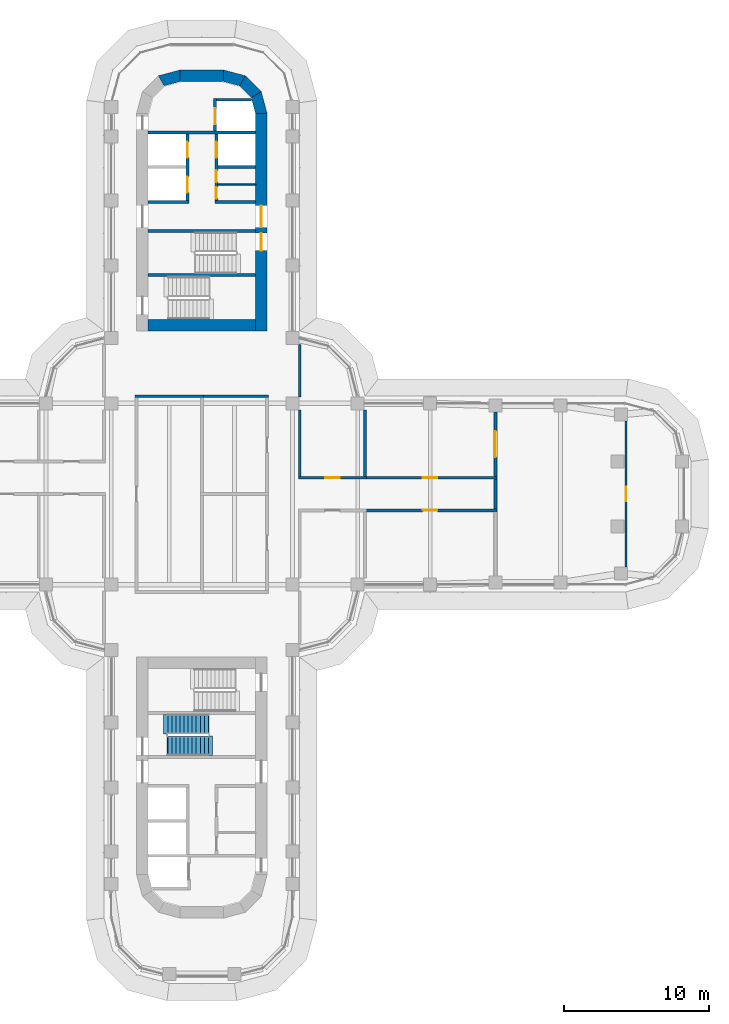
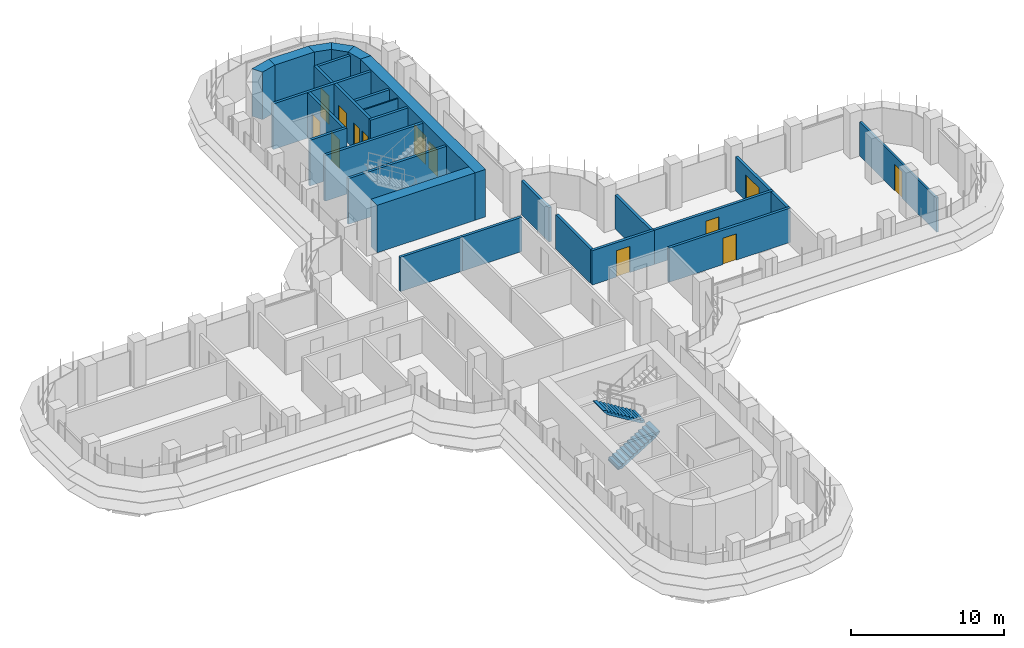
# One storey, part 17 of 22: 29 walls, 13 doors, 2 stair flights, 13 openings, 1 element without a shape of its own.
"""IFC4 building model written with IfcOpenShell, lengths in metres."""

from ifc_helpers import new_model, si_unit, direction, frame, frame_2d, origin, place, context, subcontext, project, spatial, polyline, rectangle, outline, extrude, material, layer, layer_set, type_object, element, fill, aggregate, save


model = new_model("IFC4")

# Units and contexts
model_context = context("Model", 3, precision=1e-05, world=origin(), true_north=direction((0.0, 1.0)))
body_context = subcontext(model_context, "Body", "Model", "MODEL_VIEW")
ifc_project = project(units=[si_unit("LENGTHUNIT", "METRE"), si_unit("AREAUNIT", "SQUARE_METRE"), si_unit("VOLUMEUNIT", "CUBIC_METRE"), si_unit("PLANEANGLEUNIT", "RADIAN"), si_unit("MASSUNIT", "GRAM", prefix="KILO")], contexts=[model_context])

# Site, building, storey
site_placement = place(None, origin())
site = spatial("IfcSite", under=ifc_project, at=site_placement, CompositionType="ELEMENT")
building_placement = place(site_placement, origin())
building = spatial("IfcBuilding", under=site, at=building_placement, Name="Zarbagh Exchange Tower", CompositionType="ELEMENT")
storey_placement = place(building_placement, frame((0.0, 0.0, 98.0)))
storey = spatial("IfcBuildingStorey", under=building, at=storey_placement, Name="L22", CompositionType="ELEMENT", Elevation=98.0)

# Wall
ifc_material_1 = material(Name="Dense blockwork", Category="masonry")
ifc_layer_1 = layer(ifc_material_1, 0.10009765625)
ifc_layer_set_1 = layer_set([ifc_layer_1], Name="Core partition 100 mm blockwork")
wall_type_1 = type_object("IfcWallType", Name="Core partition 100 mm blockwork", PredefinedType="PARTITIONING", material=ifc_layer_set_1)
wall_1_placement = place(storey_placement, frame((1.10009765625, 21.35009765625, 0.0), z_axis=(0.0, 0.0, 1.0), x_axis=(1.0, 0.0, 0.0)))
element("IfcWall", 1, at=wall_1_placement, inside=storey, type_object=wall_type_1, Name="North core partition wall CUT-E-700", PredefinedType="PARTITIONING", context=body_context, shape_type="SweptSolid", body=[
    extrude(rectangle(XDim=2.599853515625, YDim=0.10009765625, at=frame_2d((1.2998046875, 0.0))), origin(), (0.0, 0.0, 1.0), 3.64990234375),
])

# Wall, opening, door
ifc_material_2 = material(Name="Plasterboard partition")
ifc_layer_2 = layer(ifc_material_2, 0.14990234375)
ifc_layer_set_2 = layer_set([ifc_layer_2], Name="PARTITION 150")
wall_type_2 = type_object("IfcWallType", Name="PARTITION 150", PredefinedType="PARTITIONING", material=ifc_layer_set_2)
wall_2_placement = place(storey_placement, frame((29.25, 5.02490234375, 0.0), z_axis=(0.0, 0.0, 1.0), x_axis=(0.0, -1.0, 0.0)))
wall_2 = element("IfcWall", 2, at=wall_2_placement, inside=storey, type_object=wall_type_2, Name="Partition W-828", PredefinedType="PARTITIONING", context=body_context, shape_type="SweptSolid", body=[
    extrude(rectangle(XDim=10.0498046875, YDim=0.14990234375, at=frame_2d((5.02490234375, 0.0))), origin(), (0.0, 0.0, 1.0), 2.738037109375),
])
opening_1_placement = place(wall_2_placement, frame((4.52490234375, 0.0, 0.0)))
opening_1 = element("IfcOpeningElement", 3, at=opening_1_placement, cuts=wall_2, Name="Opening D-804", PredefinedType="OPENING", context=body_context, shape_type="SweptSolid", body=[
    extrude(rectangle(XDim=1.0, YDim=2.10009765625, at=frame_2d((0.5, 1.050048828125))), frame((0.0, 0.0849609375, 0.0), z_axis=(0.0, -1.0, 0.0), x_axis=(1.0, 0.0, 0.0)), (0.0, 0.0, 1.0), 0.169921875),
])
ifc_material_3 = material(Name="Timber door leaf", Category="wood")
door_type_1 = type_object("IfcDoorType", Name="DOOR 1000 X 2100", OperationType="NOTDEFINED", PredefinedType="DOOR", material=ifc_material_3)
door_1_placement = place(opening_1_placement, origin())
door_1 = element("IfcDoor", 4, at=door_1_placement, inside=storey, type_object=door_type_1, Name="Door D-804", OperationType="SINGLE_SWING_RIGHT", OverallHeight=2.10009765625, OverallWidth=1.0, PredefinedType="DOOR", context=body_context, shape_type="SweptSolid", body=[
    extrude(rectangle(XDim=1.0, YDim=2.10009765625, at=frame_2d((0.5, 1.050048828125))), frame((0.0, 0.02490234375, 0.0), z_axis=(0.0, -1.0, 0.0), x_axis=(1.0, 0.0, 0.0)), (0.0, 0.0, 1.0), 0.050048828125),
])
fill(opening_1, door_1)

# Walls
ifc_material_4 = material(Name="Fire-rated plasterboard partition")
ifc_layer_3 = layer(ifc_material_4, 0.199951171875)
ifc_layer_set_3 = layer_set([ifc_layer_3], Name="RATED PARTITION 200")
wall_type_3 = type_object("IfcWallType", Name="RATED PARTITION 200", PredefinedType="PARTITIONING", material=ifc_layer_set_3)
wall_3_placement = place(storey_placement, frame((6.75, 1.22509765625, 0.0), z_axis=(0.0, 0.0, 1.0), x_axis=(0.0, 1.0, 0.0)))
element("IfcWall", 5, at=wall_3_placement, inside=storey, type_object=wall_type_3, Name="Partition W-808", PredefinedType="PARTITIONING", context=body_context, shape_type="SweptSolid", body=[
    extrude(rectangle(XDim=4.574951171875, YDim=0.199951171875, at=frame_2d((2.28759765625, 0.0))), origin(), (0.0, 0.0, 1.0), 2.738037109375),
])
wall_4_placement = place(storey_placement, frame((6.75, 6.699951171875, 0.0), z_axis=(0.0, 0.0, 1.0), x_axis=(0.0, 1.0, 0.0)))
element("IfcWall", 6, at=wall_4_placement, inside=storey, type_object=wall_type_3, Name="Partition W-809", PredefinedType="PARTITIONING", context=body_context, shape_type="SweptSolid", body=[
    extrude(rectangle(XDim=3.60009765625, YDim=0.199951171875, at=frame_2d((1.800048828125, 0.0))), origin(), (0.0, 0.0, 1.0), 2.738037109375),
])
for number, where, z_axis, x_axis, name in (
    (7, (-4.60009765625, 6.75, 0.0), (0.0, 0.0, 1.0), (1.0, 0.0, 0.0), "Partition W-812"),
    (8, (-0.10009765625, 6.75, 0.0), (0.0, 0.0, 1.0), (1.0, 0.0, 0.0), "Partition W-813"),
):
    element("IfcWall", number, at=place(storey_placement, frame(where, z_axis=z_axis, x_axis=x_axis)), inside=storey, type_object=wall_type_3, Name=name, PredefinedType="PARTITIONING", context=body_context, shape_type="SweptSolid", body=[
        extrude(rectangle(XDim=4.7001953125, YDim=0.199951171875, at=frame_2d((2.35009765625, 0.0))), origin(), (0.0, 0.0, 1.0), 2.738037109375),
    ])

# Wall, opening, door
wall_5_placement = place(storey_placement, frame((6.64990234375, 1.125, 0.0), z_axis=(0.0, 0.0, 1.0), x_axis=(1.0, 0.0, 0.0)))
wall_5 = element("IfcWall", 9, at=wall_5_placement, inside=storey, type_object=wall_type_3, Name="Partition W-819", PredefinedType="PARTITIONING", context=body_context, shape_type="SweptSolid", body=[
    extrude(rectangle(XDim=4.7001953125, YDim=0.199951171875, at=frame_2d((2.35009765625, 0.0))), origin(), (0.0, 0.0, 1.0), 2.738037109375),
])
opening_2_placement = place(wall_5_placement, frame((1.85009765625, 0.0, 0.0)))
opening_2 = element("IfcOpeningElement", 10, at=opening_2_placement, cuts=wall_5, Name="Opening D-806", PredefinedType="OPENING", context=body_context, shape_type="SweptSolid", body=[
    extrude(rectangle(XDim=1.0, YDim=2.10009765625, at=frame_2d((0.5, 1.050048828125))), frame((0.0, 0.10986328125, 0.0), z_axis=(0.0, -1.0, 0.0), x_axis=(1.0, 0.0, 0.0)), (0.0, 0.0, 1.0), 0.219970703125),
])
ifc_material_5 = material(Name="Steel door set", Category="steel")
door_type_2 = type_object("IfcDoorType", Name="FIRE DOOR 1000 X 2100 FD30S", OperationType="NOTDEFINED", PredefinedType="DOOR", material=ifc_material_5)
door_2_placement = place(opening_2_placement, origin())
door_2 = element("IfcDoor", 11, at=door_2_placement, inside=storey, type_object=door_type_2, Name="Door D-806", OperationType="SINGLE_SWING_RIGHT", OverallHeight=2.10009765625, OverallWidth=1.0, PredefinedType="DOOR", context=body_context, shape_type="SweptSolid", body=[
    extrude(rectangle(XDim=1.0, YDim=2.10009765625, at=frame_2d((0.5, 1.050048828125))), frame((0.0, 0.02490234375, 0.0), z_axis=(0.0, -1.0, 0.0), x_axis=(1.0, 0.0, 0.0)), (0.0, 0.0, 1.0), 0.050048828125),
])
fill(opening_2, door_2)

wall_6_placement = place(storey_placement, frame((11.14990234375, 1.125, 0.0), z_axis=(0.0, 0.0, 1.0), x_axis=(1.0, 0.0, 0.0)))
wall_6 = element("IfcWall", 12, at=wall_6_placement, inside=storey, type_object=wall_type_3, Name="Partition W-821", PredefinedType="PARTITIONING", context=body_context, shape_type="SweptSolid", body=[
    extrude(rectangle(XDim=9.2001953125, YDim=0.199951171875, at=frame_2d((4.60009765625, 0.0))), origin(), (0.0, 0.0, 1.0), 2.738037109375),
])
opening_3_placement = place(wall_6_placement, frame((4.10009765625, 0.0, 0.0)))
opening_3 = element("IfcOpeningElement", 13, at=opening_3_placement, cuts=wall_6, Name="Opening D-807", PredefinedType="OPENING", context=body_context, shape_type="SweptSolid", body=[
    extrude(rectangle(XDim=1.0, YDim=2.10009765625, at=frame_2d((0.5, 1.050048828125))), frame((0.0, 0.10986328125, 0.0), z_axis=(0.0, -1.0, 0.0), x_axis=(1.0, 0.0, 0.0)), (0.0, 0.0, 1.0), 0.219970703125),
])
door_3_placement = place(opening_3_placement, origin())
door_3 = element("IfcDoor", 14, at=door_3_placement, inside=storey, type_object=door_type_2, Name="Door D-807", OperationType="SINGLE_SWING_LEFT", OverallHeight=2.10009765625, OverallWidth=1.0, PredefinedType="DOOR", context=body_context, shape_type="SweptSolid", body=[
    extrude(rectangle(XDim=1.0, YDim=2.10009765625, at=frame_2d((0.5, 1.050048828125))), frame((0.0, 0.02490234375, 0.0), z_axis=(0.0, -1.0, 0.0), x_axis=(1.0, 0.0, 0.0)), (0.0, 0.0, 1.0), 0.050048828125),
])
fill(opening_3, door_3)

wall_7_placement = place(storey_placement, frame((20.35009765625, -1.125, 0.0), z_axis=(0.0, 0.0, 1.0), x_axis=(-1.0, 0.0, 0.0)))
wall_7 = element("IfcWall", 15, at=wall_7_placement, inside=storey, type_object=wall_type_3, Name="Partition W-822", PredefinedType="PARTITIONING", context=body_context, shape_type="SweptSolid", body=[
    extrude(rectangle(XDim=9.2001953125, YDim=0.199951171875, at=frame_2d((4.60009765625, 0.0))), origin(), (0.0, 0.0, 1.0), 2.738037109375),
])
opening_4_placement = place(wall_7_placement, frame((4.10009765625, 0.0, 0.0)))
opening_4 = element("IfcOpeningElement", 16, at=opening_4_placement, cuts=wall_7, Name="Opening D-809", PredefinedType="OPENING", context=body_context, shape_type="SweptSolid", body=[
    extrude(rectangle(XDim=1.0, YDim=2.10009765625, at=frame_2d((0.5, 1.050048828125))), frame((0.0, 0.10986328125, 0.0), z_axis=(0.0, -1.0, 0.0), x_axis=(1.0, 0.0, 0.0)), (0.0, 0.0, 1.0), 0.219970703125),
])
door_4_placement = place(opening_4_placement, origin())
door_4 = element("IfcDoor", 17, at=door_4_placement, inside=storey, type_object=door_type_2, Name="Door D-809", OperationType="SINGLE_SWING_RIGHT", OverallHeight=2.10009765625, OverallWidth=1.0, PredefinedType="DOOR", context=body_context, shape_type="SweptSolid", body=[
    extrude(rectangle(XDim=1.0, YDim=2.10009765625, at=frame_2d((0.5, 1.050048828125))), frame((0.0, 0.02490234375, 0.0), z_axis=(0.0, -1.0, 0.0), x_axis=(1.0, 0.0, 0.0)), (0.0, 0.0, 1.0), 0.050048828125),
])
fill(opening_4, door_4)

# Walls
wall_8_placement = place(storey_placement, frame((20.25, -1.02490234375, 0.0), z_axis=(0.0, 0.0, 1.0), x_axis=(0.0, 1.0, 0.0)))
element("IfcWall", 18, at=wall_8_placement, inside=storey, type_object=wall_type_3, Name="Partition W-823", PredefinedType="PARTITIONING", context=body_context, shape_type="SweptSolid", body=[
    extrude(rectangle(XDim=2.0498046875, YDim=0.199951171875, at=frame_2d((1.02490234375, 0.0))), origin(), (0.0, 0.0, 1.0), 2.738037109375),
])
wall_9_placement = place(storey_placement, frame((11.25, 1.22509765625, 0.0), z_axis=(0.0, 0.0, 1.0), x_axis=(0.0, 1.0, 0.0)))
element("IfcWall", 19, at=wall_9_placement, inside=storey, type_object=wall_type_3, Name="Partition W-824", PredefinedType="PARTITIONING", context=body_context, shape_type="SweptSolid", body=[
    extrude(rectangle(XDim=4.574951171875, YDim=0.199951171875, at=frame_2d((2.28759765625, 0.0))), origin(), (0.0, 0.0, 1.0), 2.738037109375),
])

# Wall, opening, door
wall_10_placement = place(storey_placement, frame((20.25, 5.659912109375, 0.0), z_axis=(0.0, 0.0, 1.0), x_axis=(0.0, -1.0, 0.0)))
wall_10 = element("IfcWall", 20, at=wall_10_placement, inside=storey, type_object=wall_type_3, Name="Partition W-826", PredefinedType="PARTITIONING", context=body_context, shape_type="SweptSolid", body=[
    extrude(rectangle(XDim=4.434814453125, YDim=0.199951171875, at=frame_2d((2.21728515625, 0.0))), origin(), (0.0, 0.0, 1.0), 2.738037109375),
])
opening_5_placement = place(wall_10_placement, frame((1.3173828125, 0.0, 0.0)))
opening_5 = element("IfcOpeningElement", 21, at=opening_5_placement, cuts=wall_10, Name="Opening D-805", PredefinedType="OPENING", context=body_context, shape_type="SweptSolid", body=[
    extrude(rectangle(XDim=1.800048828125, YDim=2.10009765625, at=frame_2d((0.89990234375, 1.050048828125))), frame((0.0, 0.10986328125, 0.0), z_axis=(0.0, -1.0, 0.0), x_axis=(1.0, 0.0, 0.0)), (0.0, 0.0, 1.0), 0.219970703125),
])
door_type_3 = type_object("IfcDoorType", Name="FIRE DOUBLE DOOR 1800 X 2100 FD30S", OperationType="DOUBLE_DOOR_SINGLE_SWING", PredefinedType="DOOR", material=ifc_material_5)
door_5_placement = place(opening_5_placement, origin())
door_5 = element("IfcDoor", 22, at=door_5_placement, inside=storey, type_object=door_type_3, Name="Door D-805", OperationType="DOUBLE_DOOR_SINGLE_SWING", OverallHeight=2.10009765625, OverallWidth=1.800048828125, PredefinedType="DOOR", context=body_context, shape_type="SweptSolid", body=[
    extrude(rectangle(XDim=1.800048828125, YDim=2.10009765625, at=frame_2d((0.89990234375, 1.050048828125))), frame((0.0, 0.02490234375, 0.0), z_axis=(0.0, -1.0, 0.0), x_axis=(1.0, 0.0, 0.0)), (0.0, 0.0, 1.0), 0.050048828125),
])
fill(opening_5, door_5)

# Walls
ifc_material_6 = material(Name="Concrete C60/75", Category="concrete")
ifc_layer_4 = layer(ifc_material_6, 0.800048828125)
ifc_layer_set_4 = layer_set([ifc_layer_4], Name="RC core corner wall 800 C60/75")
wall_type_4 = type_object("IfcWallType", Name="RC core corner wall 800 C60/75", PredefinedType="SHEAR", material=ifc_layer_set_4)
wall_11_placement = place(storey_placement, origin())
element("IfcWall", 23, at=wall_11_placement, inside=storey, type_object=wall_type_4, Name="CW4 core N corner W", PredefinedType="SHEAR", context=body_context, shape_type="SweptSolid", body=[
    extrude(outline(polyline([(-3.0, 28.84814453125), (-1.5, 29.25), (-1.5, 28.449951171875), (-2.60009765625, 28.1552734375), (-3.0, 28.84814453125)])), origin(), (0.0, 0.0, 1.0), 3.800048828125),
])
wall_12_placement = place(storey_placement, origin())
element("IfcWall", 24, at=wall_12_placement, inside=storey, type_object=wall_type_4, Name="CW4 core N corner E", PredefinedType="SHEAR", context=body_context, shape_type="SweptSolid", body=[
    extrude(outline(polyline([(4.5, 26.25), (4.09814453125, 27.75), (3.4052734375, 27.35009765625), (3.699951171875, 26.25), (4.5, 26.25)])), origin(), (0.0, 0.0, 1.0), 3.800048828125),
])
wall_13_placement = place(storey_placement, origin())
element("IfcWall", 25, at=wall_13_placement, inside=storey, type_object=wall_type_4, Name="CW4 core N corner E", PredefinedType="SHEAR", context=body_context, shape_type="SweptSolid", body=[
    extrude(outline(polyline([(4.09814453125, 27.75), (3.0, 28.84814453125), (2.60009765625, 28.1552734375), (3.4052734375, 27.35009765625), (4.09814453125, 27.75)])), origin(), (0.0, 0.0, 1.0), 3.800048828125),
])
wall_14_placement = place(storey_placement, origin())
element("IfcWall", 26, at=wall_14_placement, inside=storey, type_object=wall_type_4, Name="CW4 core N corner E", PredefinedType="SHEAR", context=body_context, shape_type="SweptSolid", body=[
    extrude(outline(polyline([(3.0, 28.84814453125), (1.5, 29.25), (1.5, 28.449951171875), (2.60009765625, 28.1552734375), (3.0, 28.84814453125)])), origin(), (0.0, 0.0, 1.0), 3.800048828125),
])

# Wall, openings, doors
ifc_layer_5 = layer(ifc_material_6, 0.800048828125)
ifc_layer_set_5 = layer_set([ifc_layer_5], Name="RC core wall 800 C60/75")
wall_type_5 = type_object("IfcWallType", Name="RC core wall 800 C60/75", PredefinedType="SHEAR", material=ifc_layer_set_5)
wall_15_placement = place(storey_placement, frame((4.10009765625, 11.25, 0.0), z_axis=(0.0, 0.0, 1.0), x_axis=(0.0, 1.0, 0.0)))
wall_15 = element("IfcWall", 27, at=wall_15_placement, inside=storey, type_object=wall_type_5, Name="CW3 core N E", PredefinedType="SHEAR", context=body_context, shape_type="SweptSolid", body=[
    extrude(rectangle(XDim=15.0, YDim=0.800048828125, at=frame_2d((7.5, 0.0))), origin(), (0.0, 0.0, 1.0), 3.800048828125),
])
opening_6_placement = place(wall_15_placement, frame((7.14990234375, 0.0, 0.0)))
opening_6 = element("IfcOpeningElement", 28, at=opening_6_placement, cuts=wall_15, Name="Opening CD1-1500", PredefinedType="OPENING", context=body_context, shape_type="SweptSolid", body=[
    extrude(rectangle(XDim=1.5, YDim=2.300048828125, at=frame_2d((0.75, 1.14990234375))), frame((0.0, 0.409912109375, 0.0), z_axis=(0.0, -1.0, 0.0), x_axis=(1.0, 0.0, 0.0)), (0.0, 0.0, 1.0), 0.820068359375),
])
opening_7_placement = place(wall_15_placement, frame((5.550048828125, 0.0, 0.0)))
opening_7 = element("IfcOpeningElement", 29, at=opening_7_placement, cuts=wall_15, Name="Opening SD1-1200", PredefinedType="OPENING", context=body_context, shape_type="SweptSolid", body=[
    extrude(rectangle(XDim=1.199951171875, YDim=2.10009765625, at=frame_2d((0.60009765625, 1.050048828125))), frame((0.0, 0.409912109375, 0.0), z_axis=(0.0, -1.0, 0.0), x_axis=(1.0, 0.0, 0.0)), (0.0, 0.0, 1.0), 0.820068359375),
])
ifc_material_7 = material(Name="Steel", Category="steel")
door_type_4 = type_object("IfcDoorType", Name="Exit stair door 1200 x 2100", OperationType="NOTDEFINED", PredefinedType="DOOR", material=ifc_material_7)
door_6_placement = place(opening_7_placement, origin())
door_6 = element("IfcDoor", 30, at=door_6_placement, inside=storey, type_object=door_type_4, Name="North core stair door ST1", OperationType="SINGLE_SWING_RIGHT", OverallHeight=2.10009765625, OverallWidth=1.199951171875, PredefinedType="DOOR", context=body_context, shape_type="SweptSolid", body=[
    extrude(rectangle(XDim=1.199951171875, YDim=2.10009765625, at=frame_2d((0.60009765625, 1.050048828125))), frame((0.0, 0.02490234375, 0.0), z_axis=(0.0, -1.0, 0.0), x_axis=(1.0, 0.0, 0.0)), (0.0, 0.0, 1.0), 0.050048828125),
])
fill(opening_7, door_6)
door_type_5 = type_object("IfcDoorType", Name="Lift lobby double door 1500 x 2300", OperationType="NOTDEFINED", PredefinedType="DOOR", material=ifc_material_7)
door_7_placement = place(opening_6_placement, origin())
door_7 = element("IfcDoor", 31, at=door_7_placement, inside=storey, type_object=door_type_5, Name="North core lift lobby door LOBBY-E", OperationType="DOUBLE_DOOR_SINGLE_SWING", OverallHeight=2.300048828125, OverallWidth=1.5, PredefinedType="DOOR", context=body_context, shape_type="SweptSolid", body=[
    extrude(rectangle(XDim=1.5, YDim=2.300048828125, at=frame_2d((0.75, 1.14990234375))), frame((0.0, 0.02490234375, 0.0), z_axis=(0.0, -1.0, 0.0), x_axis=(1.0, 0.0, 0.0)), (0.0, 0.0, 1.0), 0.050048828125),
])
fill(opening_6, door_7)

# Walls
wall_16_placement = place(storey_placement, frame((-3.699951171875, 11.64990234375, 0.0), z_axis=(0.0, 0.0, 1.0), x_axis=(1.0, 0.0, 0.0)))
element("IfcWall", 32, at=wall_16_placement, inside=storey, type_object=wall_type_5, Name="CW3 core N inner end", PredefinedType="SHEAR", context=body_context, shape_type="SweptSolid", body=[
    extrude(rectangle(XDim=7.39990234375, YDim=0.800048828125, at=frame_2d((3.699951171875, 0.0))), origin(), (0.0, 0.0, 1.0), 3.800048828125),
])
wall_17_placement = place(storey_placement, frame((-1.5, 28.85009765625, 0.0), z_axis=(0.0, 0.0, 1.0), x_axis=(1.0, 0.0, 0.0)))
element("IfcWall", 33, at=wall_17_placement, inside=storey, type_object=wall_type_5, Name="CW3 core N outer end", PredefinedType="SHEAR", context=body_context, shape_type="SweptSolid", body=[
    extrude(rectangle(XDim=3.0, YDim=0.800048828125, at=frame_2d((1.5, 0.0))), origin(), (0.0, 0.0, 1.0), 3.800048828125),
])
ifc_layer_6 = layer(ifc_material_1, 0.199951171875)
ifc_layer_set_6 = layer_set([ifc_layer_6], Name="Shaft wall 200 mm blockwork")
wall_type_6 = type_object("IfcWallType", Name="Shaft wall 200 mm blockwork", PredefinedType="PARTITIONING", material=ifc_layer_set_6)
wall_18_placement = place(storey_placement, frame((-3.699951171875, 20.14990234375, 0.0), z_axis=(0.0, 0.0, 1.0), x_axis=(1.0, 0.0, 0.0)))
element("IfcWall", 34, at=wall_18_placement, inside=storey, type_object=wall_type_6, Name="North core shaft wall AB-W", PredefinedType="PARTITIONING", context=body_context, shape_type="SweptSolid", body=[
    extrude(rectangle(XDim=2.800048828125, YDim=0.199951171875, at=frame_2d((1.39990234375, 0.0))), origin(), (0.0, 0.0, 1.0), 3.64990234375),
])

# Wall, openings, doors
wall_19_placement = place(storey_placement, frame((-1.0, 24.85009765625, 0.0), z_axis=(0.0, 0.0, 1.0), x_axis=(0.0, -1.0, 0.0)))
wall_19 = element("IfcWall", 35, at=wall_19_placement, inside=storey, type_object=wall_type_6, Name="North core shaft wall LW-W", PredefinedType="PARTITIONING", context=body_context, shape_type="SweptSolid", body=[
    extrude(rectangle(XDim=4.60009765625, YDim=0.199951171875, at=frame_2d((2.300048828125, 0.0))), origin(), (0.0, 0.0, 1.0), 3.64990234375),
])
opening_8_placement = place(wall_19_placement, frame((0.550048828125, 0.0, 0.0)))
opening_8 = element("IfcOpeningElement", 36, at=opening_8_placement, cuts=wall_19, Name="Opening LD-1100", PredefinedType="OPENING", context=body_context, shape_type="SweptSolid", body=[
    extrude(rectangle(XDim=1.10009765625, YDim=2.300048828125, at=frame_2d((0.550048828125, 1.14990234375))), frame((0.0, 0.10986328125, 0.0), z_axis=(0.0, -1.0, 0.0), x_axis=(1.0, 0.0, 0.0)), (0.0, 0.0, 1.0), 0.219970703125),
])
opening_9_placement = place(wall_19_placement, frame((2.949951171875, 0.0, 0.0)))
opening_9 = element("IfcOpeningElement", 37, at=opening_9_placement, cuts=wall_19, Name="Opening LD-1100", PredefinedType="OPENING", context=body_context, shape_type="SweptSolid", body=[
    extrude(rectangle(XDim=1.10009765625, YDim=2.300048828125, at=frame_2d((0.550048828125, 1.14990234375))), frame((0.0, 0.10986328125, 0.0), z_axis=(0.0, -1.0, 0.0), x_axis=(1.0, 0.0, 0.0)), (0.0, 0.0, 1.0), 0.219970703125),
])
ifc_material_8 = material(Name="Stainless steel", Category="steel")
door_type_6 = type_object("IfcDoorType", Name="Lift landing door 1100 x 2300", OperationType="NOTDEFINED", PredefinedType="DOOR", material=ifc_material_8)
door_8_placement = place(opening_8_placement, origin())
door_8 = element("IfcDoor", 38, at=door_8_placement, inside=storey, type_object=door_type_6, Name="North core lift landing door LD-P-N1", OperationType="DOUBLE_DOOR_SLIDING", OverallHeight=2.300048828125, OverallWidth=1.10009765625, PredefinedType="DOOR", context=body_context, shape_type="SweptSolid", body=[
    extrude(rectangle(XDim=1.10009765625, YDim=2.300048828125, at=frame_2d((0.550048828125, 1.14990234375))), frame((0.0, 0.02490234375, 0.0), z_axis=(0.0, -1.0, 0.0), x_axis=(1.0, 0.0, 0.0)), (0.0, 0.0, 1.0), 0.050048828125),
])
fill(opening_8, door_8)
door_9_placement = place(opening_9_placement, origin())
door_9 = element("IfcDoor", 39, at=door_9_placement, inside=storey, type_object=door_type_6, Name="North core lift landing door LD-P-N2", OperationType="DOUBLE_DOOR_SLIDING", OverallHeight=2.300048828125, OverallWidth=1.10009765625, PredefinedType="DOOR", context=body_context, shape_type="SweptSolid", body=[
    extrude(rectangle(XDim=1.10009765625, YDim=2.300048828125, at=frame_2d((0.550048828125, 1.14990234375))), frame((0.0, 0.02490234375, 0.0), z_axis=(0.0, -1.0, 0.0), x_axis=(1.0, 0.0, 0.0)), (0.0, 0.0, 1.0), 0.050048828125),
])
fill(opening_9, door_9)

# Wall
wall_20_placement = place(storey_placement, frame((0.89990234375, 20.14990234375, 0.0), z_axis=(0.0, 0.0, 1.0), x_axis=(1.0, 0.0, 0.0)))
element("IfcWall", 40, at=wall_20_placement, inside=storey, type_object=wall_type_6, Name="North core shaft wall AB-E", PredefinedType="PARTITIONING", context=body_context, shape_type="SweptSolid", body=[
    extrude(rectangle(XDim=2.800048828125, YDim=0.199951171875, at=frame_2d((1.39990234375, 0.0))), origin(), (0.0, 0.0, 1.0), 3.64990234375),
])

# Wall, openings, doors
wall_21_placement = place(storey_placement, frame((1.0, 24.85009765625, 0.0), z_axis=(0.0, 0.0, 1.0), x_axis=(0.0, -1.0, 0.0)))
wall_21 = element("IfcWall", 41, at=wall_21_placement, inside=storey, type_object=wall_type_6, Name="North core shaft wall LW-E", PredefinedType="PARTITIONING", context=body_context, shape_type="SweptSolid", body=[
    extrude(rectangle(XDim=4.60009765625, YDim=0.199951171875, at=frame_2d((2.300048828125, 0.0))), origin(), (0.0, 0.0, 1.0), 3.64990234375),
])
opening_10_placement = place(wall_21_placement, frame((0.550048828125, 0.0, 0.0)))
opening_10 = element("IfcOpeningElement", 42, at=opening_10_placement, cuts=wall_21, Name="Opening LD-1100", PredefinedType="OPENING", context=body_context, shape_type="SweptSolid", body=[
    extrude(rectangle(XDim=1.10009765625, YDim=2.300048828125, at=frame_2d((0.550048828125, 1.14990234375))), frame((0.0, 0.10986328125, 0.0), z_axis=(0.0, -1.0, 0.0), x_axis=(1.0, 0.0, 0.0)), (0.0, 0.0, 1.0), 0.219970703125),
])
opening_11_placement = place(wall_21_placement, frame((2.52490234375, 0.0, 0.0)))
opening_11 = element("IfcOpeningElement", 43, at=opening_11_placement, cuts=wall_21, Name="Opening CD3-800", PredefinedType="OPENING", context=body_context, shape_type="SweptSolid", body=[
    extrude(rectangle(XDim=0.800048828125, YDim=2.10009765625, at=frame_2d((0.39990234375, 1.050048828125))), frame((0.0, 0.10986328125, 0.0), z_axis=(0.0, -1.0, 0.0), x_axis=(1.0, 0.0, 0.0)), (0.0, 0.0, 1.0), 0.219970703125),
])
opening_12_placement = place(wall_21_placement, frame((3.675048828125, 0.0, 0.0)))
opening_12 = element("IfcOpeningElement", 44, at=opening_12_placement, cuts=wall_21, Name="Opening CD3-800", PredefinedType="OPENING", context=body_context, shape_type="SweptSolid", body=[
    extrude(rectangle(XDim=0.800048828125, YDim=2.10009765625, at=frame_2d((0.39990234375, 1.050048828125))), frame((0.0, 0.10986328125, 0.0), z_axis=(0.0, -1.0, 0.0), x_axis=(1.0, 0.0, 0.0)), (0.0, 0.0, 1.0), 0.219970703125),
])
door_type_7 = type_object("IfcDoorType", Name="Core room door 800 x 2100", OperationType="NOTDEFINED", PredefinedType="DOOR", material=ifc_material_7)
door_10_placement = place(opening_11_placement, origin())
door_10 = element("IfcDoor", 45, at=door_10_placement, inside=storey, type_object=door_type_7, Name="North core Store door RD-E-0", OperationType="SINGLE_SWING_LEFT", OverallHeight=2.10009765625, OverallWidth=0.800048828125, PredefinedType="DOOR", context=body_context, shape_type="SweptSolid", body=[
    extrude(rectangle(XDim=0.800048828125, YDim=2.10009765625, at=frame_2d((0.39990234375, 1.050048828125))), frame((0.0, 0.02490234375, 0.0), z_axis=(0.0, -1.0, 0.0), x_axis=(1.0, 0.0, 0.0)), (0.0, 0.0, 1.0), 0.050048828125),
])
fill(opening_11, door_10)
door_11_placement = place(opening_12_placement, origin())
door_11 = element("IfcDoor", 46, at=door_11_placement, inside=storey, type_object=door_type_7, Name="North core IT room door RD-E-1", OperationType="SINGLE_SWING_LEFT", OverallHeight=2.10009765625, OverallWidth=0.800048828125, PredefinedType="DOOR", context=body_context, shape_type="SweptSolid", body=[
    extrude(rectangle(XDim=0.800048828125, YDim=2.10009765625, at=frame_2d((0.39990234375, 1.050048828125))), frame((0.0, 0.02490234375, 0.0), z_axis=(0.0, -1.0, 0.0), x_axis=(1.0, 0.0, 0.0)), (0.0, 0.0, 1.0), 0.050048828125),
])
fill(opening_12, door_11)
door_12_placement = place(opening_10_placement, origin())
door_12 = element("IfcDoor", 47, at=door_12_placement, inside=storey, type_object=door_type_6, Name="North core lift landing door LD-P-N3", OperationType="DOUBLE_DOOR_SLIDING", OverallHeight=2.300048828125, OverallWidth=1.10009765625, PredefinedType="DOOR", context=body_context, shape_type="SweptSolid", body=[
    extrude(rectangle(XDim=1.10009765625, YDim=2.300048828125, at=frame_2d((0.550048828125, 1.14990234375))), frame((0.0, 0.02490234375, 0.0), z_axis=(0.0, -1.0, 0.0), x_axis=(1.0, 0.0, 0.0)), (0.0, 0.0, 1.0), 0.050048828125),
])
fill(opening_10, door_12)

# Walls
wall_22_placement = place(storey_placement, frame((1.10009765625, 22.550048828125, 0.0), z_axis=(0.0, 0.0, 1.0), x_axis=(1.0, 0.0, 0.0)))
element("IfcWall", 48, at=wall_22_placement, inside=storey, type_object=wall_type_6, Name="North core shaft wall TR-E", PredefinedType="PARTITIONING", context=body_context, shape_type="SweptSolid", body=[
    extrude(rectangle(XDim=2.599853515625, YDim=0.199951171875, at=frame_2d((1.2998046875, 0.0))), origin(), (0.0, 0.0, 1.0), 3.64990234375),
])
ifc_material_9 = material(Name="Concrete C40/50", Category="concrete")
ifc_layer_7 = layer(ifc_material_9, 0.199951171875)
ifc_layer_set_7 = layer_set([ifc_layer_7], Name="Stair enclosure wall 200 mm RC C40/50")
wall_type_7 = type_object("IfcWallType", Name="Stair enclosure wall 200 mm RC C40/50", PredefinedType="SHEAR", material=ifc_layer_set_7)
wall_23_placement = place(storey_placement, frame((-3.699951171875, 24.949951171875, 0.0), z_axis=(0.0, 0.0, 1.0), x_axis=(1.0, 0.0, 0.0)))
element("IfcWall", 49, at=wall_23_placement, inside=storey, type_object=wall_type_7, Name="North core lift shaft wall FFA", PredefinedType="SHEAR", context=body_context, shape_type="SweptSolid", body=[
    extrude(rectangle(XDim=7.39990234375, YDim=0.199951171875, at=frame_2d((3.699951171875, 0.0))), origin(), (0.0, 0.0, 1.0), 3.64990234375),
])

# Wall, opening, door
wall_24_placement = place(storey_placement, frame((0.89990234375, 27.300048828125, 0.0), z_axis=(0.0, 0.0, 1.0), x_axis=(0.0, -1.0, 0.0)))
wall_24 = element("IfcWall", 50, at=wall_24_placement, inside=storey, type_object=wall_type_7, Name="North core lift shaft wall FFL", PredefinedType="SHEAR", context=body_context, shape_type="SweptSolid", body=[
    extrude(rectangle(XDim=2.25, YDim=0.199951171875, at=frame_2d((1.125, 0.0))), origin(), (0.0, 0.0, 1.0), 3.64990234375),
])
opening_13_placement = place(wall_24_placement, frame((0.699951171875, 0.0, 0.0)))
opening_13 = element("IfcOpeningElement", 51, at=opening_13_placement, cuts=wall_24, Name="Opening LD-1100", PredefinedType="OPENING", context=body_context, shape_type="SweptSolid", body=[
    extrude(rectangle(XDim=1.10009765625, YDim=2.300048828125, at=frame_2d((0.550048828125, 1.14990234375))), frame((0.0, 0.10986328125, 0.0), z_axis=(0.0, -1.0, 0.0), x_axis=(1.0, 0.0, 0.0)), (0.0, 0.0, 1.0), 0.219970703125),
])
door_13_placement = place(opening_13_placement, origin())
door_13 = element("IfcDoor", 52, at=door_13_placement, inside=storey, type_object=door_type_6, Name="North core lift landing door LD-F", OperationType="DOUBLE_DOOR_SLIDING", OverallHeight=2.300048828125, OverallWidth=1.10009765625, PredefinedType="DOOR", context=body_context, shape_type="SweptSolid", body=[
    extrude(rectangle(XDim=1.10009765625, YDim=2.300048828125, at=frame_2d((0.550048828125, 1.14990234375))), frame((0.0, 0.02490234375, 0.0), z_axis=(0.0, -1.0, 0.0), x_axis=(1.0, 0.0, 0.0)), (0.0, 0.0, 1.0), 0.050048828125),
])
fill(opening_13, door_13)

# Walls
wall_25_placement = place(storey_placement, origin())
element("IfcWall", 53, at=wall_25_placement, inside=storey, type_object=wall_type_7, Name="North core lift shaft wall FFX", PredefinedType="SHEAR", context=body_context, shape_type="SweptSolid", body=[
    extrude(outline(polyline([(1.0, 27.10009765625), (3.444091796875, 27.10009765625), (3.390380859375, 27.300048828125), (1.0, 27.300048828125), (1.0, 27.10009765625)])), origin(), (0.0, 0.0, 1.0), 3.64990234375),
])
for number, where, z_axis, x_axis, name in (
    (54, (-3.699951171875, 18.14990234375, 0.0), (0.0, 0.0, 1.0), (1.0, 0.0, 0.0), "North core stair wall BS"),
    (55, (-3.699951171875, 15.10009765625, 0.0), (0.0, 0.0, 1.0), (1.0, 0.0, 0.0), "North core stair wall ST12"),
):
    element("IfcWall", number, at=place(storey_placement, frame(where, z_axis=z_axis, x_axis=x_axis)), inside=storey, type_object=wall_type_7, Name=name, PredefinedType="SHEAR", context=body_context, shape_type="SweptSolid", body=[
        extrude(rectangle(XDim=7.39990234375, YDim=0.199951171875, at=frame_2d((3.699951171875, 0.0))), origin(), (0.0, 0.0, 1.0), 3.64990234375),
    ])

# Stair, stair flights
stair_type = type_object("IfcStairType", Name="Exit stair two-flight half-turn", PredefinedType="HALF_TURN_STAIR", material=ifc_material_9)
stair_placement = place(storey_placement, origin())
stair = element("IfcStair", 56, at=stair_placement, inside=storey, type_object=stair_type, Name="exit stair ST3", PredefinedType="HALF_TURN_STAIR")
stair_flight_type = type_object("IfcStairFlightType", Name="Stair flight 1350 mm", PredefinedType="STRAIGHT", material=ifc_material_9)
stair_flight_1_placement = place(storey_placement, frame((-2.35009765625, -17.375, 0.0), z_axis=(0.0, 0.0, 1.0), x_axis=(1.0, 0.0, 0.0)))
stair_flight_1 = element("IfcStairFlight", 57, at=stair_flight_1_placement, type_object=stair_flight_type, Name="ST3 flight 1", NumberOfRisers=11, NumberOfTreads=10, PredefinedType="STRAIGHT", RiserHeight=0.172727273, TreadLength=0.28, context=body_context, shape_type="SweptSolid", body=[
    extrude(outline(polyline([(-0.050048828125, -0.050048828125), (-0.050048828125, 0.0), (0.0, 0.0), (0.0, 0.172607421875), (0.280029296875, 0.172607421875), (0.280029296875, 0.345458984375), (0.56005859375, 0.345458984375), (0.56005859375, 0.51806640625), (0.840087890625, 0.51806640625), (0.840087890625, 0.69091796875), (1.1201171875, 0.69091796875), (1.1201171875, 0.863525390625), (1.39990234375, 0.863525390625), (1.39990234375, 1.036376953125), (1.679931640625, 1.036376953125), (1.679931640625, 1.208984375), (1.9599609375, 1.208984375), (1.9599609375, 1.3818359375), (2.239990234375, 1.3818359375), (2.239990234375, 1.554443359375), (2.52001953125, 1.554443359375), (2.52001953125, 1.727294921875), (2.800048828125, 1.727294921875), (2.800048828125, 1.89990234375), (3.10009765625, 1.97998046875), (3.10009765625, 1.89990234375), (2.800048828125, 1.551025390625), (0.285400390625, 0.0), (-0.050048828125, -0.050048828125)])), frame((0.0, 0.675048828125, 0.0), z_axis=(0.0, -1.0, 0.0), x_axis=(1.0, 0.0, 0.0)), (0.0, 0.0, 1.0), 1.35009765625),
])
stair_flight_2_placement = place(storey_placement, frame((0.449951171875, -15.875, 1.89990234375), z_axis=(0.0, 0.0, 1.0), x_axis=(-1.0, 0.0, 0.0)))
stair_flight_2 = element("IfcStairFlight", 58, at=stair_flight_2_placement, type_object=stair_flight_type, Name="ST3 flight 2", NumberOfRisers=11, NumberOfTreads=10, PredefinedType="STRAIGHT", RiserHeight=0.172727273, TreadLength=0.28, context=body_context, shape_type="SweptSolid", body=[
    extrude(outline(polyline([(-0.050048828125, -0.050048828125), (-0.050048828125, 0.0), (0.0, 0.0), (0.0, 0.172607421875), (0.280029296875, 0.172607421875), (0.280029296875, 0.345458984375), (0.56005859375, 0.345458984375), (0.56005859375, 0.51806640625), (0.840087890625, 0.51806640625), (0.840087890625, 0.69091796875), (1.1201171875, 0.69091796875), (1.1201171875, 0.863525390625), (1.39990234375, 0.863525390625), (1.39990234375, 1.036376953125), (1.679931640625, 1.036376953125), (1.679931640625, 1.208984375), (1.9599609375, 1.208984375), (1.9599609375, 1.3818359375), (2.239990234375, 1.3818359375), (2.239990234375, 1.554443359375), (2.52001953125, 1.554443359375), (2.52001953125, 1.727294921875), (2.800048828125, 1.727294921875), (2.800048828125, 1.89990234375), (3.10009765625, 1.97998046875), (3.10009765625, 1.89990234375), (2.800048828125, 1.551025390625), (0.285400390625, 0.0), (-0.050048828125, -0.050048828125)])), frame((0.0, 0.675048828125, 0.0), z_axis=(0.0, -1.0, 0.0), x_axis=(1.0, 0.0, 0.0)), (0.0, 0.0, 1.0), 1.35009765625),
])
aggregate(stair, [stair_flight_1, stair_flight_2])

save(model, "model.ifc")
